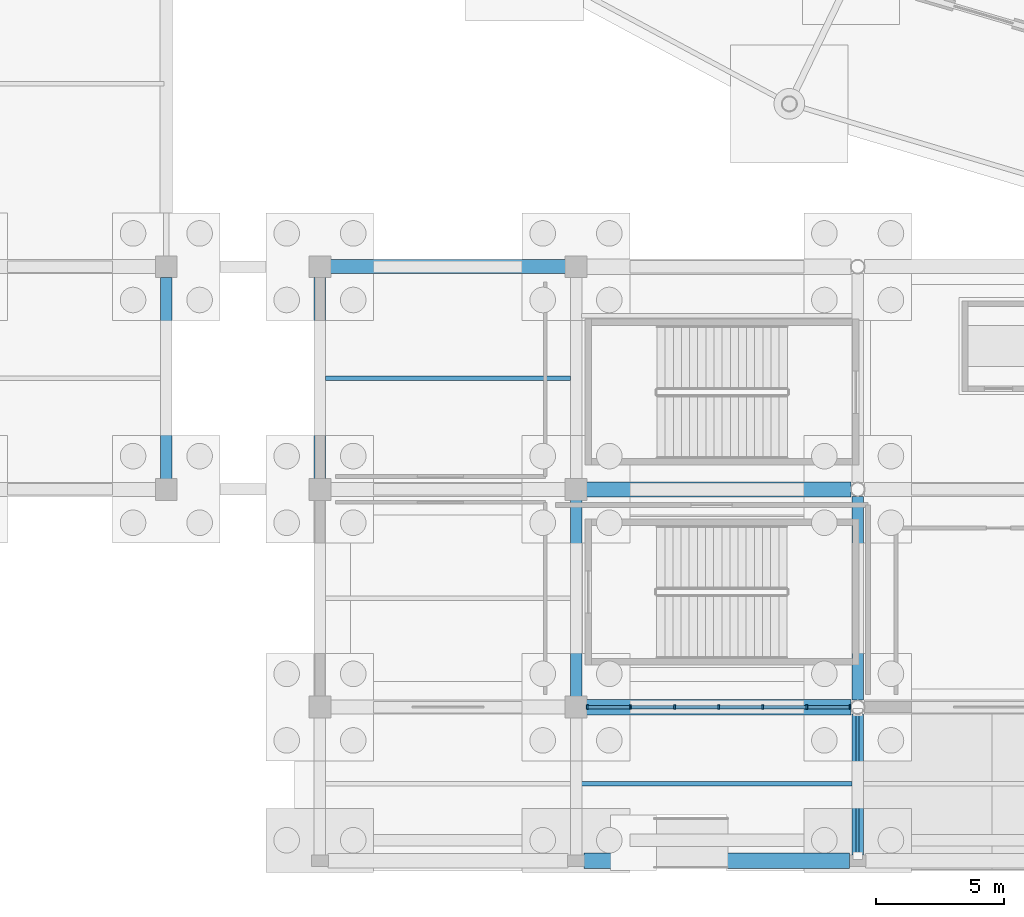
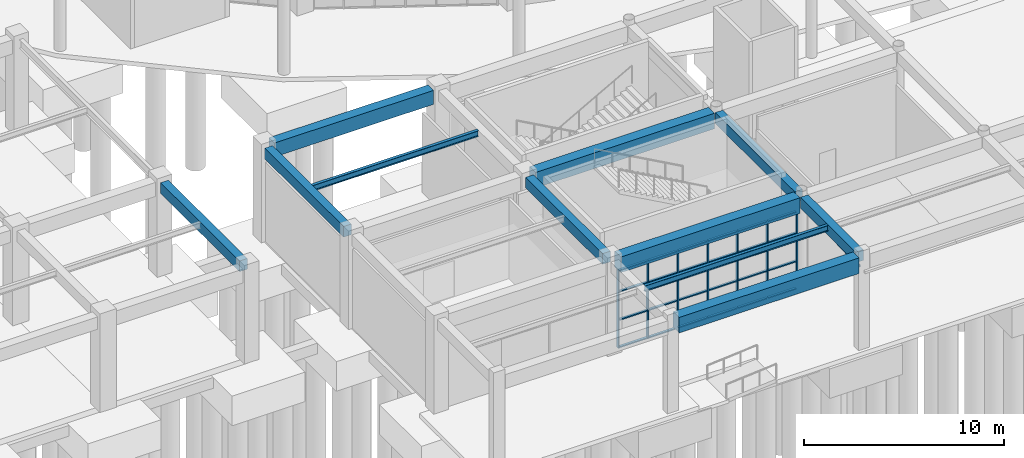
# One storey, part 24 of 121: 32 members, 11 beams, 1 element without a shape of its own.
"""IFC4 building model written with IfcOpenShell, lengths in metres."""

from ifc_helpers import new_model, si_unit, direction, frame, origin, origin_2d, place, context, subcontext, project, spatial, rectangle, hollow_rectangle, i_section, extrude, material, material_profile, profile_set, type_object, element, aggregate, save


model = new_model("IFC4")

# Units and contexts
model_context = context("Model", 3, precision=1e-05, world=origin(), true_north=direction((0.0, 1.0)))
body_context = subcontext(model_context, "Body", "Model", "MODEL_VIEW")
ifc_project = project(units=[si_unit("LENGTHUNIT", "METRE"), si_unit("AREAUNIT", "SQUARE_METRE"), si_unit("VOLUMEUNIT", "CUBIC_METRE"), si_unit("PLANEANGLEUNIT", "RADIAN"), si_unit("MASSUNIT", "GRAM", prefix="KILO")], contexts=[model_context])

# Site, building, storey
site_placement = place(None, origin())
site = spatial("IfcSite", under=ifc_project, at=site_placement, CompositionType="ELEMENT")
building_placement = place(site_placement, origin())
building = spatial("IfcBuilding", under=site, at=building_placement, Name="Cuetzalor Civic Arena", CompositionType="ELEMENT")
storey_placement = place(building_placement, origin())
storey = spatial("IfcBuildingStorey", under=building, at=storey_placement, Name="L00", CompositionType="ELEMENT", Elevation=0.0)

# Member
ifc_material_1 = material(Name="Steel S355", Category="steel")
ifc_material_profile_1 = material_profile(ifc_material_1, hollow_rectangle(XDim=0.1201171875, YDim=0.1201171875, WallThickness=0.008056640625, at=origin_2d()), Name="RHS 120x120x8")
ifc_profile_set_1 = profile_set([ifc_material_profile_1], Name="Steel S355")
member_type_1 = type_object("IfcMemberType", Name="CanopyStrutTie_RHS120", PredefinedType="BRACE", material=ifc_profile_set_1)
member_1_placement = place(storey_placement, frame((-21.0, -65.699951171875, 5.02001953125), z_axis=(0.0, -0.999083002286, -0.042815354052), x_axis=(1.0, 0.0, 0.0)))
element("IfcMember", 1, at=member_1_placement, inside=storey, type_object=member_type_1, Name="Entrance Canopy Whiplash Tie Strut X-21", PredefinedType="BRACE", context=body_context, shape_type="SweptSolid", body=[
    extrude(hollow_rectangle(XDim=0.1201171875, YDim=0.1201171875, WallThickness=0.008056640625, at=origin_2d()), origin(), (0.0, 0.0, 1.0), 5.605224609375),
])

# Beams
ifc_material_2 = material(Name="Concrete C40/50", Category="concrete")
ifc_material_profile_2 = material_profile(ifc_material_2, rectangle(XDim=0.550048828125, YDim=0.85009765625, at=origin_2d()), Name="RC 550x850")
ifc_profile_set_2 = profile_set([ifc_material_profile_2], Name="Concrete C40/50")
beam_type_1 = type_object("IfcBeamType", Name="ConcreteFrameBeam_550x850", PredefinedType="BEAM", material=ifc_profile_set_2)
beam_1_placement = place(storey_placement, frame((-41.5849609375, -48.300048828125, 5.27490234375), z_axis=(1.0, 0.0, 0.0), x_axis=(0.0, 1.0, 0.0)))
element("IfcBeam", 2, at=beam_1_placement, inside=storey, type_object=beam_type_1, Name="Frame Girder V3-L00-X0023", PredefinedType="BEAM", context=body_context, shape_type="SweptSolid", body=[
    extrude(rectangle(XDim=0.550048828125, YDim=0.85009765625, at=origin_2d()), origin(), (0.0, 0.0, 1.0), 9.169921875),
])
ifc_material_3 = material(Name="Concrete C40/50", Category="concrete")
ifc_material_profile_3 = material_profile(ifc_material_3, rectangle(XDim=0.60009765625, YDim=0.949951171875, at=origin_2d()), Name="RC 600x950")
ifc_profile_set_3 = profile_set([ifc_material_profile_3], Name="Concrete C40/50")
beam_type_2 = type_object("IfcBeamType", Name="ConcreteFrameBeam_600x950", PredefinedType="BEAM", material=ifc_profile_set_3)
beam_2_placement = place(storey_placement, frame((-31.68505859375, -71.5, 5.22509765625), z_axis=(1.0, 0.0, 0.0), x_axis=(0.0, 1.0, 0.0)))
element("IfcBeam", 3, at=beam_2_placement, inside=storey, type_object=beam_type_2, Name="Frame Girder V3-L00-X0002", PredefinedType="BEAM", context=body_context, shape_type="SweptSolid", body=[
    extrude(rectangle(XDim=0.60009765625, YDim=0.949951171875, at=origin_2d()), origin(), (0.0, 0.0, 1.0), 10.3701171875),
])
for number, where, z_axis, x_axis, name in (
    (4, (-31.5849609375, -65.5, 5.22509765625), (1.0, 0.0, 0.0), (0.0, 1.0, 0.0), "Frame Girder V3-L00-X0010"),
    (5, (-31.5849609375, -57.0, 5.22509765625), (1.0, 0.0, 0.0), (0.0, 1.0, 0.0), "Frame Girder V3-L00-X0018"),
):
    element("IfcBeam", number, at=place(storey_placement, frame(where, z_axis=z_axis, x_axis=x_axis)), inside=storey, type_object=beam_type_2, Name=name, PredefinedType="BEAM", context=body_context, shape_type="SweptSolid", body=[
        extrude(rectangle(XDim=0.60009765625, YDim=0.949951171875, at=origin_2d()), origin(), (0.0, 0.0, 1.0), 10.3154296875),
    ])
ifc_material_4 = material(Name="Concrete C40/50", Category="concrete")
ifc_material_profile_4 = material_profile(ifc_material_4, rectangle(XDim=0.449951171875, YDim=0.64990234375, at=origin_2d()), Name="RC 450x650")
ifc_profile_set_4 = profile_set([ifc_material_profile_4], Name="Concrete C40/50")
beam_type_3 = type_object("IfcBeamType", Name="ConcreteTieBeam_450x650", PredefinedType="BEAM", material=ifc_profile_set_4)
beam_3_placement = place(storey_placement, frame((-42.0, -56.5849609375, 5.375), z_axis=(0.0, 1.0, 0.0), x_axis=(-1.0, 0.0, 0.0)))
element("IfcBeam", 6, at=beam_3_placement, inside=storey, type_object=beam_type_3, Name="Frame Girder V3-L00-Y0033", PredefinedType="BEAM", context=body_context, shape_type="SweptSolid", body=[
    extrude(rectangle(XDim=0.449951171875, YDim=0.64990234375, at=origin_2d()), origin(), (0.0, 0.0, 1.0), 7.869873046875),
])
beam_4_placement = place(storey_placement, frame((-32.0, -65.0849609375, 5.375), z_axis=(0.0, 1.0, 0.0), x_axis=(-1.0, 0.0, 0.0)))
element("IfcBeam", 7, at=beam_4_placement, inside=storey, type_object=beam_type_3, Name="Frame Girder V3-L00-Y0035", PredefinedType="BEAM", context=body_context, shape_type="SweptSolid", body=[
    extrude(rectangle(XDim=0.449951171875, YDim=0.64990234375, at=origin_2d()), origin(), (0.0, 0.0, 1.0), 7.669921875),
])
beam_5_placement = place(storey_placement, frame((-21.0, -71.284912109375, 5.375), z_axis=(0.0, 1.0, 0.0), x_axis=(-1.0, 0.0, 0.0)))
element("IfcBeam", 8, at=beam_5_placement, inside=storey, type_object=beam_type_3, Name="Frame Girder V3-L00-Y0037", PredefinedType="BEAM", context=body_context, shape_type="SweptSolid", body=[
    extrude(rectangle(XDim=0.449951171875, YDim=0.64990234375, at=origin_2d()), origin(), (0.0, 0.0, 1.0), 5.515380859375),
])
beam_6_placement = place(storey_placement, frame((-21.0, -65.23046875, 5.375), z_axis=(0.0, 1.0, 0.0), x_axis=(-1.0, 0.0, 0.0)))
element("IfcBeam", 9, at=beam_6_placement, inside=storey, type_object=beam_type_3, Name="Frame Girder V3-L00-Y0038", PredefinedType="BEAM", context=body_context, shape_type="SweptSolid", body=[
    extrude(rectangle(XDim=0.449951171875, YDim=0.64990234375, at=origin_2d()), origin(), (0.0, 0.0, 1.0), 7.9609375),
])
beam_7_placement = place(storey_placement, frame((-48.0, -56.5849609375, 5.375), z_axis=(0.0, 1.0, 0.0), x_axis=(-1.0, 0.0, 0.0)))
element("IfcBeam", 10, at=beam_7_placement, inside=storey, type_object=beam_type_3, Name="Frame Girder V4W-L00-Y0133", PredefinedType="BEAM", context=body_context, shape_type="SweptSolid", body=[
    extrude(rectangle(XDim=0.449951171875, YDim=0.64990234375, at=origin_2d()), origin(), (0.0, 0.0, 1.0), 7.869873046875),
])

# Curtain wall, members
ifc_material_5 = material(Name="Anodised dark bronze aluminium and low-E solar glass", Category="aluminium")
curtain_wall_type = type_object("IfcCurtainWallType", Name="StickCW_10350x4750", PredefinedType="USERDEFINED", material=ifc_material_5)
curtain_wall_placement = place(storey_placement, origin())
curtain_wall = element("IfcCurtainWall", 11, at=curtain_wall_placement, inside=storey, type_object=curtain_wall_type, Name="South Foyer Arcade Curtain Wall L00-081", ObjectType="STICK CURTAIN WALL", PredefinedType="USERDEFINED")
ifc_material_6 = material(Name="Anodised dark bronze aluminium", Category="aluminium")
ifc_material_profile_5 = material_profile(ifc_material_6, rectangle(XDim=0.070068359375, YDim=0.179931640625, at=origin_2d()), Name="ALU MULLION 70x180")
ifc_profile_set_5 = profile_set([ifc_material_profile_5], Name="Anodised dark bronze aluminium")
member_type_2 = type_object("IfcMemberType", Name="CurtainWallMullion_65x180", PredefinedType="MULLION", material=ifc_profile_set_5)
member_2_placement = place(storey_placement, frame((-21.29638671875, -65.5, 0.0), z_axis=(0.0, 0.0, 1.0), x_axis=(-1.0, 0.0, 0.0)))
member_2 = element("IfcMember", 12, at=member_2_placement, type_object=member_type_2, Name="CW-24 mullion 1", PredefinedType="MULLION", context=body_context, shape_type="SweptSolid", body=[
    extrude(rectangle(XDim=0.070068359375, YDim=0.179931640625, at=origin_2d()), origin(), (0.0, 0.0, 1.0), 4.739990234375),
])
member_3_placement = place(storey_placement, frame((-22.9833984375, -65.5, 0.0), z_axis=(0.0, 0.0, 1.0), x_axis=(-1.0, 0.0, 0.0)))
member_3 = element("IfcMember", 13, at=member_3_placement, type_object=member_type_2, Name="CW-24 mullion 2", PredefinedType="MULLION", context=body_context, shape_type="SweptSolid", body=[
    extrude(rectangle(XDim=0.070068359375, YDim=0.179931640625, at=origin_2d()), origin(), (0.0, 0.0, 1.0), 4.739990234375),
])
member_4_placement = place(storey_placement, frame((-24.705322265625, -65.5, 0.0), z_axis=(0.0, 0.0, 1.0), x_axis=(-1.0, 0.0, 0.0)))
member_4 = element("IfcMember", 14, at=member_4_placement, type_object=member_type_2, Name="CW-24 mullion 3", PredefinedType="MULLION", context=body_context, shape_type="SweptSolid", body=[
    extrude(rectangle(XDim=0.070068359375, YDim=0.179931640625, at=origin_2d()), origin(), (0.0, 0.0, 1.0), 4.739990234375),
])
member_5_placement = place(storey_placement, frame((-26.42724609375, -65.5, 0.0), z_axis=(0.0, 0.0, 1.0), x_axis=(-1.0, 0.0, 0.0)))
member_5 = element("IfcMember", 15, at=member_5_placement, type_object=member_type_2, Name="CW-24 mullion 4", PredefinedType="MULLION", context=body_context, shape_type="SweptSolid", body=[
    extrude(rectangle(XDim=0.070068359375, YDim=0.179931640625, at=origin_2d()), origin(), (0.0, 0.0, 1.0), 4.739990234375),
])
member_6_placement = place(storey_placement, frame((-28.149169921875, -65.5, 0.0), z_axis=(0.0, 0.0, 1.0), x_axis=(-1.0, 0.0, 0.0)))
member_6 = element("IfcMember", 16, at=member_6_placement, type_object=member_type_2, Name="CW-24 mullion 5", PredefinedType="MULLION", context=body_context, shape_type="SweptSolid", body=[
    extrude(rectangle(XDim=0.070068359375, YDim=0.179931640625, at=origin_2d()), origin(), (0.0, 0.0, 1.0), 4.739990234375),
])
member_7_placement = place(storey_placement, frame((-29.87109375, -65.5, 0.0), z_axis=(0.0, 0.0, 1.0), x_axis=(-1.0, 0.0, 0.0)))
member_7 = element("IfcMember", 17, at=member_7_placement, type_object=member_type_2, Name="CW-24 mullion 6", PredefinedType="MULLION", context=body_context, shape_type="SweptSolid", body=[
    extrude(rectangle(XDim=0.070068359375, YDim=0.179931640625, at=origin_2d()), origin(), (0.0, 0.0, 1.0), 4.739990234375),
])
member_8_placement = place(storey_placement, frame((-31.55810546875, -65.5, 0.0), z_axis=(0.0, 0.0, 1.0), x_axis=(-1.0, 0.0, 0.0)))
member_8 = element("IfcMember", 18, at=member_8_placement, type_object=member_type_2, Name="CW-24 mullion 7", PredefinedType="MULLION", context=body_context, shape_type="SweptSolid", body=[
    extrude(rectangle(XDim=0.070068359375, YDim=0.179931640625, at=origin_2d()), origin(), (0.0, 0.0, 1.0), 4.739990234375),
])
ifc_material_7 = material(Name="Anodised dark bronze aluminium", Category="aluminium")
ifc_material_profile_6 = material_profile(ifc_material_7, rectangle(XDim=0.139892578125, YDim=0.070068359375, at=origin_2d()), Name="ALU TRANSOM 70x140")
ifc_profile_set_6 = profile_set([ifc_material_profile_6], Name="Anodised dark bronze aluminium")
member_type_3 = type_object("IfcMemberType", Name="CurtainWallTransom_65x140", PredefinedType="USERDEFINED", material=ifc_profile_set_6)
member_9_placement = place(storey_placement, frame((-21.33154296875, -65.5, 0.034912109375), z_axis=(-1.0, 0.0, 0.0), x_axis=(0.0, -1.0, 0.0)))
member_9 = element("IfcMember", 19, at=member_9_placement, type_object=member_type_3, Name="CW-24 transom 1.1", ObjectType="TRANSOM", PredefinedType="USERDEFINED", context=body_context, shape_type="SweptSolid", body=[
    extrude(rectangle(XDim=0.139892578125, YDim=0.070068359375, at=origin_2d()), origin(), (0.0, 0.0, 1.0), 1.616943359375),
])
member_10_placement = place(storey_placement, frame((-21.33154296875, -65.5, 1.7060546875), z_axis=(-1.0, 0.0, 0.0), x_axis=(0.0, -1.0, 0.0)))
member_10 = element("IfcMember", 20, at=member_10_placement, type_object=member_type_3, Name="CW-24 transom 1.2", ObjectType="TRANSOM", PredefinedType="USERDEFINED", context=body_context, shape_type="SweptSolid", body=[
    extrude(rectangle(XDim=0.139892578125, YDim=0.070068359375, at=origin_2d()), origin(), (0.0, 0.0, 1.0), 1.616943359375),
])
member_11_placement = place(storey_placement, frame((-21.33154296875, -65.5, 3.4130859375), z_axis=(-1.0, 0.0, 0.0), x_axis=(0.0, -1.0, 0.0)))
member_11 = element("IfcMember", 21, at=member_11_placement, type_object=member_type_3, Name="CW-24 transom 1.3", ObjectType="TRANSOM", PredefinedType="USERDEFINED", context=body_context, shape_type="SweptSolid", body=[
    extrude(rectangle(XDim=0.139892578125, YDim=0.070068359375, at=origin_2d()), origin(), (0.0, 0.0, 1.0), 1.616943359375),
])
member_12_placement = place(storey_placement, frame((-21.33154296875, -65.5, 4.705078125), z_axis=(-1.0, 0.0, 0.0), x_axis=(0.0, -1.0, 0.0)))
member_12 = element("IfcMember", 22, at=member_12_placement, type_object=member_type_3, Name="CW-24 transom 1.4", ObjectType="TRANSOM", PredefinedType="USERDEFINED", context=body_context, shape_type="SweptSolid", body=[
    extrude(rectangle(XDim=0.139892578125, YDim=0.070068359375, at=origin_2d()), origin(), (0.0, 0.0, 1.0), 1.616943359375),
])
member_13_placement = place(storey_placement, frame((-23.018310546875, -65.5, 0.034912109375), z_axis=(-1.0, 0.0, 0.0), x_axis=(0.0, -1.0, 0.0)))
member_13 = element("IfcMember", 23, at=member_13_placement, type_object=member_type_3, Name="CW-24 transom 2.1", ObjectType="TRANSOM", PredefinedType="USERDEFINED", context=body_context, shape_type="SweptSolid", body=[
    extrude(rectangle(XDim=0.139892578125, YDim=0.070068359375, at=origin_2d()), origin(), (0.0, 0.0, 1.0), 1.652099609375),
])
member_14_placement = place(storey_placement, frame((-23.018310546875, -65.5, 1.7060546875), z_axis=(-1.0, 0.0, 0.0), x_axis=(0.0, -1.0, 0.0)))
member_14 = element("IfcMember", 24, at=member_14_placement, type_object=member_type_3, Name="CW-24 transom 2.2", ObjectType="TRANSOM", PredefinedType="USERDEFINED", context=body_context, shape_type="SweptSolid", body=[
    extrude(rectangle(XDim=0.139892578125, YDim=0.070068359375, at=origin_2d()), origin(), (0.0, 0.0, 1.0), 1.652099609375),
])
member_15_placement = place(storey_placement, frame((-23.018310546875, -65.5, 3.4130859375), z_axis=(-1.0, 0.0, 0.0), x_axis=(0.0, -1.0, 0.0)))
member_15 = element("IfcMember", 25, at=member_15_placement, type_object=member_type_3, Name="CW-24 transom 2.3", ObjectType="TRANSOM", PredefinedType="USERDEFINED", context=body_context, shape_type="SweptSolid", body=[
    extrude(rectangle(XDim=0.139892578125, YDim=0.070068359375, at=origin_2d()), origin(), (0.0, 0.0, 1.0), 1.652099609375),
])
member_16_placement = place(storey_placement, frame((-23.018310546875, -65.5, 4.705078125), z_axis=(-1.0, 0.0, 0.0), x_axis=(0.0, -1.0, 0.0)))
member_16 = element("IfcMember", 26, at=member_16_placement, type_object=member_type_3, Name="CW-24 transom 2.4", ObjectType="TRANSOM", PredefinedType="USERDEFINED", context=body_context, shape_type="SweptSolid", body=[
    extrude(rectangle(XDim=0.139892578125, YDim=0.070068359375, at=origin_2d()), origin(), (0.0, 0.0, 1.0), 1.652099609375),
])
member_17_placement = place(storey_placement, frame((-24.740234375, -65.5, 0.034912109375), z_axis=(-1.0, 0.0, 0.0), x_axis=(0.0, -1.0, 0.0)))
member_17 = element("IfcMember", 27, at=member_17_placement, type_object=member_type_3, Name="CW-24 transom 3.1", ObjectType="TRANSOM", PredefinedType="USERDEFINED", context=body_context, shape_type="SweptSolid", body=[
    extrude(rectangle(XDim=0.139892578125, YDim=0.070068359375, at=origin_2d()), origin(), (0.0, 0.0, 1.0), 1.652099609375),
])
member_18_placement = place(storey_placement, frame((-24.740234375, -65.5, 1.7060546875), z_axis=(-1.0, 0.0, 0.0), x_axis=(0.0, -1.0, 0.0)))
member_18 = element("IfcMember", 28, at=member_18_placement, type_object=member_type_3, Name="CW-24 transom 3.2", ObjectType="TRANSOM", PredefinedType="USERDEFINED", context=body_context, shape_type="SweptSolid", body=[
    extrude(rectangle(XDim=0.139892578125, YDim=0.070068359375, at=origin_2d()), origin(), (0.0, 0.0, 1.0), 1.652099609375),
])
member_19_placement = place(storey_placement, frame((-24.740234375, -65.5, 3.4130859375), z_axis=(-1.0, 0.0, 0.0), x_axis=(0.0, -1.0, 0.0)))
member_19 = element("IfcMember", 29, at=member_19_placement, type_object=member_type_3, Name="CW-24 transom 3.3", ObjectType="TRANSOM", PredefinedType="USERDEFINED", context=body_context, shape_type="SweptSolid", body=[
    extrude(rectangle(XDim=0.139892578125, YDim=0.070068359375, at=origin_2d()), origin(), (0.0, 0.0, 1.0), 1.652099609375),
])
member_20_placement = place(storey_placement, frame((-24.740234375, -65.5, 4.705078125), z_axis=(-1.0, 0.0, 0.0), x_axis=(0.0, -1.0, 0.0)))
member_20 = element("IfcMember", 30, at=member_20_placement, type_object=member_type_3, Name="CW-24 transom 3.4", ObjectType="TRANSOM", PredefinedType="USERDEFINED", context=body_context, shape_type="SweptSolid", body=[
    extrude(rectangle(XDim=0.139892578125, YDim=0.070068359375, at=origin_2d()), origin(), (0.0, 0.0, 1.0), 1.652099609375),
])
member_21_placement = place(storey_placement, frame((-26.462158203125, -65.5, 0.034912109375), z_axis=(-1.0, 0.0, 0.0), x_axis=(0.0, -1.0, 0.0)))
member_21 = element("IfcMember", 31, at=member_21_placement, type_object=member_type_3, Name="CW-24 transom 4.1", ObjectType="TRANSOM", PredefinedType="USERDEFINED", context=body_context, shape_type="SweptSolid", body=[
    extrude(rectangle(XDim=0.139892578125, YDim=0.070068359375, at=origin_2d()), origin(), (0.0, 0.0, 1.0), 1.652099609375),
])
member_22_placement = place(storey_placement, frame((-26.462158203125, -65.5, 1.7060546875), z_axis=(-1.0, 0.0, 0.0), x_axis=(0.0, -1.0, 0.0)))
member_22 = element("IfcMember", 32, at=member_22_placement, type_object=member_type_3, Name="CW-24 transom 4.2", ObjectType="TRANSOM", PredefinedType="USERDEFINED", context=body_context, shape_type="SweptSolid", body=[
    extrude(rectangle(XDim=0.139892578125, YDim=0.070068359375, at=origin_2d()), origin(), (0.0, 0.0, 1.0), 1.652099609375),
])
member_23_placement = place(storey_placement, frame((-26.462158203125, -65.5, 3.4130859375), z_axis=(-1.0, 0.0, 0.0), x_axis=(0.0, -1.0, 0.0)))
member_23 = element("IfcMember", 33, at=member_23_placement, type_object=member_type_3, Name="CW-24 transom 4.3", ObjectType="TRANSOM", PredefinedType="USERDEFINED", context=body_context, shape_type="SweptSolid", body=[
    extrude(rectangle(XDim=0.139892578125, YDim=0.070068359375, at=origin_2d()), origin(), (0.0, 0.0, 1.0), 1.652099609375),
])
member_24_placement = place(storey_placement, frame((-26.462158203125, -65.5, 4.705078125), z_axis=(-1.0, 0.0, 0.0), x_axis=(0.0, -1.0, 0.0)))
member_24 = element("IfcMember", 34, at=member_24_placement, type_object=member_type_3, Name="CW-24 transom 4.4", ObjectType="TRANSOM", PredefinedType="USERDEFINED", context=body_context, shape_type="SweptSolid", body=[
    extrude(rectangle(XDim=0.139892578125, YDim=0.070068359375, at=origin_2d()), origin(), (0.0, 0.0, 1.0), 1.652099609375),
])
member_25_placement = place(storey_placement, frame((-28.18408203125, -65.5, 0.034912109375), z_axis=(-1.0, 0.0, 0.0), x_axis=(0.0, -1.0, 0.0)))
member_25 = element("IfcMember", 35, at=member_25_placement, type_object=member_type_3, Name="CW-24 transom 5.1", ObjectType="TRANSOM", PredefinedType="USERDEFINED", context=body_context, shape_type="SweptSolid", body=[
    extrude(rectangle(XDim=0.139892578125, YDim=0.070068359375, at=origin_2d()), origin(), (0.0, 0.0, 1.0), 1.652099609375),
])
member_26_placement = place(storey_placement, frame((-28.18408203125, -65.5, 1.7060546875), z_axis=(-1.0, 0.0, 0.0), x_axis=(0.0, -1.0, 0.0)))
member_26 = element("IfcMember", 36, at=member_26_placement, type_object=member_type_3, Name="CW-24 transom 5.2", ObjectType="TRANSOM", PredefinedType="USERDEFINED", context=body_context, shape_type="SweptSolid", body=[
    extrude(rectangle(XDim=0.139892578125, YDim=0.070068359375, at=origin_2d()), origin(), (0.0, 0.0, 1.0), 1.652099609375),
])
member_27_placement = place(storey_placement, frame((-28.18408203125, -65.5, 3.4130859375), z_axis=(-1.0, 0.0, 0.0), x_axis=(0.0, -1.0, 0.0)))
member_27 = element("IfcMember", 37, at=member_27_placement, type_object=member_type_3, Name="CW-24 transom 5.3", ObjectType="TRANSOM", PredefinedType="USERDEFINED", context=body_context, shape_type="SweptSolid", body=[
    extrude(rectangle(XDim=0.139892578125, YDim=0.070068359375, at=origin_2d()), origin(), (0.0, 0.0, 1.0), 1.652099609375),
])
member_28_placement = place(storey_placement, frame((-28.18408203125, -65.5, 4.705078125), z_axis=(-1.0, 0.0, 0.0), x_axis=(0.0, -1.0, 0.0)))
member_28 = element("IfcMember", 38, at=member_28_placement, type_object=member_type_3, Name="CW-24 transom 5.4", ObjectType="TRANSOM", PredefinedType="USERDEFINED", context=body_context, shape_type="SweptSolid", body=[
    extrude(rectangle(XDim=0.139892578125, YDim=0.070068359375, at=origin_2d()), origin(), (0.0, 0.0, 1.0), 1.652099609375),
])
member_29_placement = place(storey_placement, frame((-29.906005859375, -65.5, 0.034912109375), z_axis=(-1.0, 0.0, 0.0), x_axis=(0.0, -1.0, 0.0)))
member_29 = element("IfcMember", 39, at=member_29_placement, type_object=member_type_3, Name="CW-24 transom 6.1", ObjectType="TRANSOM", PredefinedType="USERDEFINED", context=body_context, shape_type="SweptSolid", body=[
    extrude(rectangle(XDim=0.139892578125, YDim=0.070068359375, at=origin_2d()), origin(), (0.0, 0.0, 1.0), 1.616943359375),
])
member_30_placement = place(storey_placement, frame((-29.906005859375, -65.5, 1.7060546875), z_axis=(-1.0, 0.0, 0.0), x_axis=(0.0, -1.0, 0.0)))
member_30 = element("IfcMember", 40, at=member_30_placement, type_object=member_type_3, Name="CW-24 transom 6.2", ObjectType="TRANSOM", PredefinedType="USERDEFINED", context=body_context, shape_type="SweptSolid", body=[
    extrude(rectangle(XDim=0.139892578125, YDim=0.070068359375, at=origin_2d()), origin(), (0.0, 0.0, 1.0), 1.616943359375),
])
member_31_placement = place(storey_placement, frame((-29.906005859375, -65.5, 3.4130859375), z_axis=(-1.0, 0.0, 0.0), x_axis=(0.0, -1.0, 0.0)))
member_31 = element("IfcMember", 41, at=member_31_placement, type_object=member_type_3, Name="CW-24 transom 6.3", ObjectType="TRANSOM", PredefinedType="USERDEFINED", context=body_context, shape_type="SweptSolid", body=[
    extrude(rectangle(XDim=0.139892578125, YDim=0.070068359375, at=origin_2d()), origin(), (0.0, 0.0, 1.0), 1.616943359375),
])
member_32_placement = place(storey_placement, frame((-29.906005859375, -65.5, 4.705078125), z_axis=(-1.0, 0.0, 0.0), x_axis=(0.0, -1.0, 0.0)))
member_32 = element("IfcMember", 42, at=member_32_placement, type_object=member_type_3, Name="CW-24 transom 6.4", ObjectType="TRANSOM", PredefinedType="USERDEFINED", context=body_context, shape_type="SweptSolid", body=[
    extrude(rectangle(XDim=0.139892578125, YDim=0.070068359375, at=origin_2d()), origin(), (0.0, 0.0, 1.0), 1.616943359375),
])
aggregate(curtain_wall, [member_2, member_3, member_4, member_5, member_6, member_7, member_8, member_9, member_10, member_11, member_12, member_13, member_14, member_15, member_16, member_17, member_18, member_19, member_20, member_21, member_22, member_23, member_24, member_25, member_26, member_27, member_28, member_29, member_30, member_31, member_32])

# Beams
ifc_material_8 = material(Name="Steel S355", Category="steel")
ifc_material_profile_7 = material_profile(ifc_material_8, i_section(OverallWidth=0.1708984375, OverallDepth=0.35498046875, WebThickness=0.007080078125, FlangeThickness=0.01171875, at=origin_2d()), Name="W360x51")
ifc_profile_set_7 = profile_set([ifc_material_profile_7], Name="Steel S355")
beam_type_4 = type_object("IfcBeamType", Name="SecondaryFloorJoist_W360", PredefinedType="JOIST", material=ifc_profile_set_7)
beam_8_placement = place(storey_placement, frame((-41.782958984375, -52.64990234375, 5.5224609375), z_axis=(1.0, 0.0, 0.0), x_axis=(0.0, 1.0, 0.0)))
element("IfcBeam", 43, at=beam_8_placement, inside=storey, type_object=beam_type_4, Name="Secondary Floor Joist V3-L00-0003", PredefinedType="JOIST", context=body_context, shape_type="SweptSolid", body=[
    extrude(i_section(OverallWidth=0.1708984375, OverallDepth=0.35498046875, WebThickness=0.007080078125, FlangeThickness=0.01171875, at=origin_2d()), origin(), (0.0, 0.0, 1.0), 9.56591796875),
])
beam_9_placement = place(storey_placement, frame((-31.782958984375, -68.5, 5.5224609375), z_axis=(1.0, 0.0, 0.0), x_axis=(0.0, 1.0, 0.0)))
element("IfcBeam", 44, at=beam_9_placement, inside=storey, type_object=beam_type_4, Name="Secondary Floor Joist V3-L00-0004", PredefinedType="JOIST", context=body_context, shape_type="SweptSolid", body=[
    extrude(i_section(OverallWidth=0.1708984375, OverallDepth=0.35498046875, WebThickness=0.007080078125, FlangeThickness=0.01171875, at=origin_2d()), origin(), (0.0, 0.0, 1.0), 10.56591796875),
])

save(model, "model.ifc")
